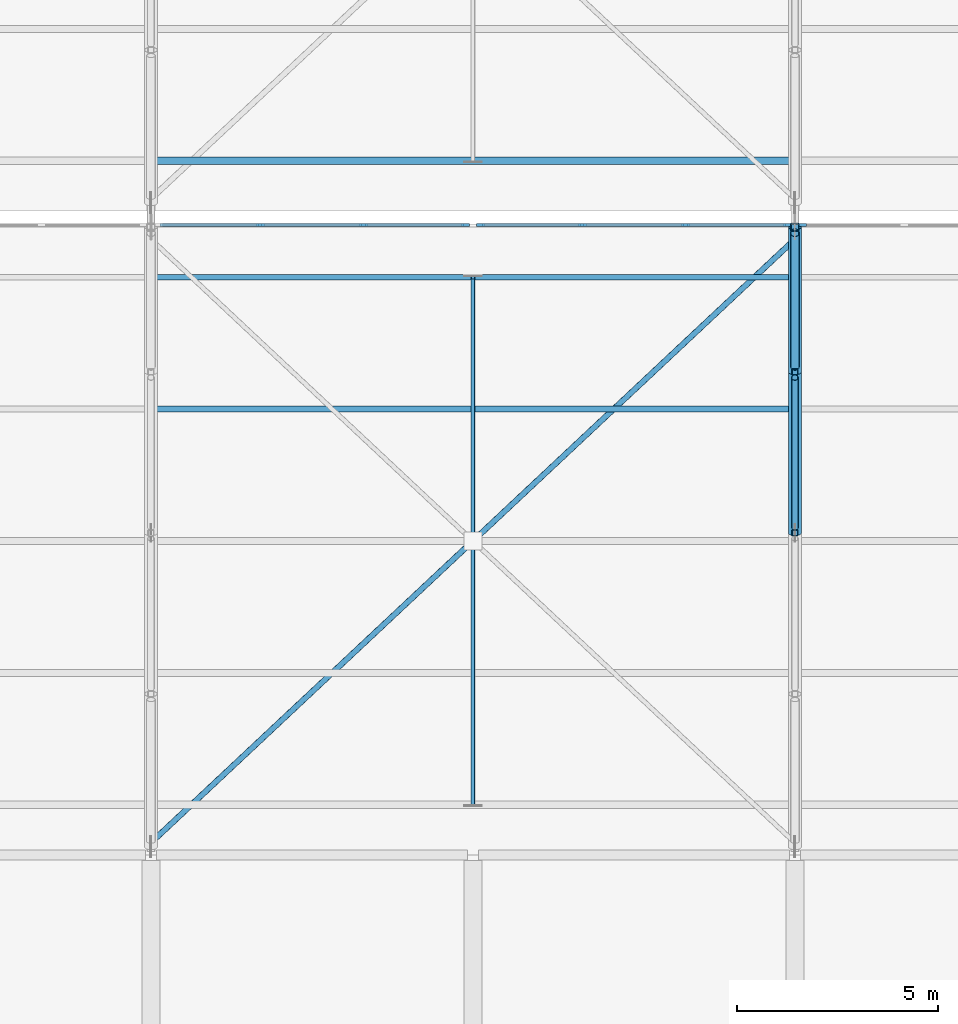
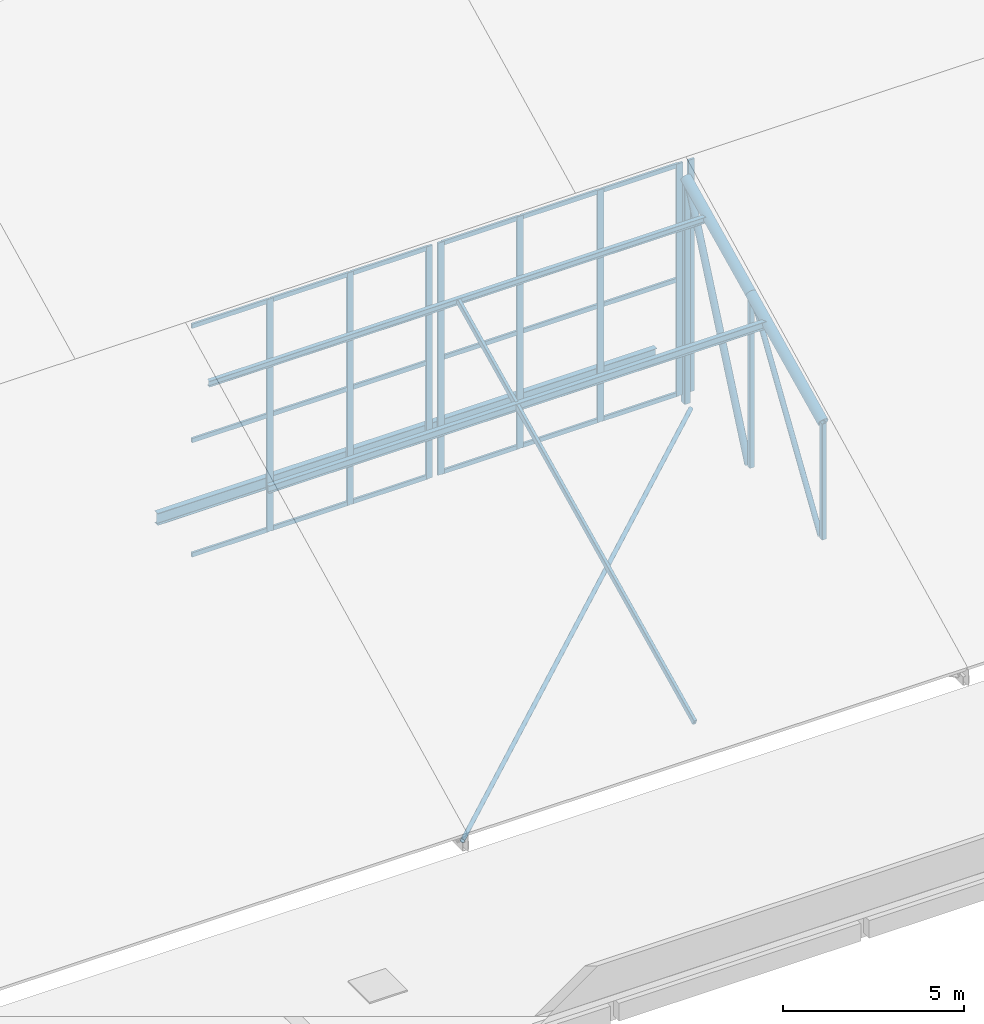
# One storey, part 48 of 137: 35 members, 3 beams, 3 elements without a shape of their own.
"""IFC4 building model written with IfcOpenShell, lengths in metres."""

import ifcopenshell
import ifcopenshell.guid

model = None  # the IFC model being written
_history = None  # IfcOwnerHistory: only IFC2X3 demands one
_inside = {}  # id of a spatial element -> (the spatial element, [elements in it])
_under = {}  # id of a project, library or spatial element -> (it, [spatial elements below it])
_declared = {}  # id of a project -> (the project, [libraries it declares])
_typed = {}  # id of a type object -> (the type object, [elements of that type])
_made_of = {}  # id of a material, layer set ... -> (it, [elements and type objects made of it])


def new_model(schema):
    """Start an empty IFC model of exactly this schema.

    Asked for "IFC4X3", IfcOpenShell would pick the latest addendum, in which some entities
    have other attributes; the version numbers below select the first issue.
    IFC2X3 requires an IfcOwnerHistory on every rooted entity: one is made here for all.
    """
    global model, _history
    if schema == "IFC4X3":
        model = ifcopenshell.file(schema_version=(4, 3, 0, 0))
    else:
        model = ifcopenshell.file(schema=schema)
    _inside.clear()
    _under.clear()
    _declared.clear()
    _typed.clear()
    _made_of.clear()
    _history = None
    if model.schema == "IFC2X3":
        org = make("IfcOrganization", Name="unknown")
        user = make(
            "IfcPersonAndOrganization",
            ThePerson=make("IfcPerson", FamilyName="unknown"),
            TheOrganization=org,
        )
        app = make(
            "IfcApplication",
            ApplicationDeveloper=org,
            Version="unknown",
            ApplicationFullName="unknown",
            ApplicationIdentifier="unknown",
        )
        _history = make(
            "IfcOwnerHistory",
            OwningUser=user,
            OwningApplication=app,
            ChangeAction="ADDED",
            CreationDate=0,
        )
    return model


def make(cls, **values):
    """One entity of the class cls with the attributes given. An attribute that is None is left unset."""
    return model.create_entity(
        cls, **{name: value for name, value in values.items() if value is not None}
    )


def rooted(cls, **values):
    """An entity with a GlobalId (a new one), such as an element, a storey or a relation."""
    return make(cls, GlobalId=ifcopenshell.guid.new(), OwnerHistory=_history, **values)


def si_unit(unit_type, name, prefix=None):
    """IfcSIUnit, for example si_unit("LENGTHUNIT", "METRE", prefix="MILLI")."""
    return make("IfcSIUnit", UnitType=unit_type, Prefix=prefix, Name=name)


def assignment(units):
    """IfcUnitAssignment: the units of a project."""
    return None if units is None else make("IfcUnitAssignment", Units=units)


def point(xyz):
    """IfcCartesianPoint."""
    return None if xyz is None else make("IfcCartesianPoint", Coordinates=xyz)


def direction(xyz):
    """IfcDirection."""
    return None if xyz is None else make("IfcDirection", DirectionRatios=xyz)


def frame(location, z_axis=None, x_axis=None):
    """IfcAxis2Placement3D, a coordinate frame: its origin and axes. An axis left out is left unset."""
    return make(
        "IfcAxis2Placement3D",
        Location=point(location),
        Axis=direction(z_axis),
        RefDirection=direction(x_axis),
    )


def frame_2d(location, x_axis=None):
    """IfcAxis2Placement2D, a coordinate frame in the plane: its origin and x axis."""
    return make(
        "IfcAxis2Placement2D", Location=point(location), RefDirection=direction(x_axis)
    )


def origin():
    """The frame at (0, 0, 0) with its axes left unset."""
    return frame((0.0, 0.0, 0.0))


def origin_2d():
    """The frame at (0, 0) in the plane with its x axis left unset."""
    return frame_2d((0.0, 0.0))


def place(relative_to, where):
    """IfcLocalPlacement: puts the frame where relative to a parent placement (None: the world)."""
    return make(
        "IfcLocalPlacement", PlacementRelTo=relative_to, RelativePlacement=where
    )


def context(
    kind, dimensions, precision=None, world=None, true_north=None, identifier=None
):
    """IfcGeometricRepresentationContext, for example the 3D "Model" context."""
    return make(
        "IfcGeometricRepresentationContext",
        ContextIdentifier=identifier,
        ContextType=kind,
        CoordinateSpaceDimension=dimensions,
        Precision=precision,
        WorldCoordinateSystem=world,
        TrueNorth=true_north,
    )


def subcontext(parent, identifier, kind, view, scale=None):
    """IfcGeometricRepresentationSubContext, for example "Body" below "Model"."""
    return make(
        "IfcGeometricRepresentationSubContext",
        ContextIdentifier=identifier,
        ContextType=kind,
        ParentContext=parent,
        TargetScale=scale,
        TargetView=view,
    )


def project(units=None, contexts=None):
    """IfcProject with its units and contexts."""
    return rooted(
        "IfcProject",
        Name="project",
        RepresentationContexts=contexts,
        UnitsInContext=assignment(units),
    )


def spatial(cls, under=None, at=None, **own):
    """A site, building, storey or space (cls), placed at a placement, below another one or the project."""
    s = rooted(cls, ObjectPlacement=at, **own)
    if under is not None:
        _under.setdefault(under.id(), (under, []))[1].append(s)
    return s


def profile(cls, at=None, kind="AREA", **sizes):
    """A parametric profile (cls). Its sizes go by their IFC names, for example OverallWidth=200.0."""
    return make(cls, ProfileType=kind, Position=at, **sizes)


def rectangle(**sizes):
    """IfcRectangleProfileDef."""
    return profile("IfcRectangleProfileDef", **sizes)


def hollow_rectangle(**sizes):
    """IfcRectangleHollowProfileDef."""
    return profile("IfcRectangleHollowProfileDef", **sizes)


def hollow_circle(**sizes):
    """IfcCircleHollowProfileDef."""
    return profile("IfcCircleHollowProfileDef", **sizes)


def i_section(**sizes):
    """IfcIShapeProfileDef."""
    return profile("IfcIShapeProfileDef", **sizes)


def extrude(swept, where, along, depth):
    """IfcExtrudedAreaSolid: the profile swept, set in the frame where, extruded along a direction by depth."""
    return make(
        "IfcExtrudedAreaSolid",
        SweptArea=swept,
        Position=where,
        ExtrudedDirection=direction(along),
        Depth=depth,
    )


def shape(context_of_items, identifier, shape_type, items):
    """IfcShapeRepresentation: the items that make up one representation, for example the "Body"."""
    return make(
        "IfcShapeRepresentation",
        ContextOfItems=context_of_items,
        RepresentationIdentifier=identifier,
        RepresentationType=shape_type,
        Items=items,
    )


def material(Name=None, Category=None):
    """IfcMaterial."""
    return make("IfcMaterial", Name=Name, Category=Category)


def layer(
    of_material, thickness, ventilated=None, Name=None, Category=None, Priority=None
):
    """IfcMaterialLayer: one layer of a wall or slab, of a material (None: an air gap)."""
    return make(
        "IfcMaterialLayer",
        Material=of_material,
        LayerThickness=thickness,
        IsVentilated=ventilated,
        Name=Name,
        Category=Category,
        Priority=Priority,
    )


def layer_set(layers, Name=None):
    """IfcMaterialLayerSet."""
    return make("IfcMaterialLayerSet", MaterialLayers=layers, LayerSetName=Name)


def material_profile(
    of_material, cross_section, Name=None, Category=None, Priority=None
):
    """IfcMaterialProfile: a cross section and its material."""
    return make(
        "IfcMaterialProfile",
        Name=Name,
        Material=of_material,
        Profile=cross_section,
        Priority=Priority,
        Category=Category,
    )


def profile_set(profiles, Name=None, composite=None):
    """IfcMaterialProfileSet."""
    return make(
        "IfcMaterialProfileSet",
        Name=Name,
        MaterialProfiles=profiles,
        CompositeProfile=composite,
    )


def made_of(thing, what):
    """Note that an element or type object is made of a material, layer set ...; save() writes the relation."""
    if what is not None:
        _made_of.setdefault(what.id(), (what, []))[1].append(thing)
    return thing


def type_object(cls, material=None, **own):
    """A type object (cls), such as IfcWallType, which elements share."""
    return made_of(rooted(cls, **own), material)


def element(
    cls,
    number,
    at=None,
    inside=None,
    cuts=None,
    type_object=None,
    material=None,
    context=None,
    identifier="Body",
    shape_type=None,
    held_by="IfcProductDefinitionShape",
    body=None,
    shapes=None,
    **own,
):
    """One element of the class cls, such as IfcWall. Its Tag is "e" and its number.

    at: its placement. inside: the storey or other place that contains it. cuts: it is an
    opening in that element (IfcRelVoidsElement). A single representation is given by context,
    identifier, shape_type and body (its items); several are given by shapes. held_by: the class
    of the entity that holds the representations. save() writes the other relations.
    """
    e = rooted(cls, Tag="e%d" % number, ObjectPlacement=at, **own)
    if body is not None:
        shapes = [shape(context, identifier, shape_type, body)]
    if shapes is not None:
        e.Representation = make(held_by, Representations=shapes)
    if inside is not None:
        _inside.setdefault(inside.id(), (inside, []))[1].append(e)
    if cuts is not None:
        rooted(
            "IfcRelVoidsElement", RelatingBuildingElement=cuts, RelatedOpeningElement=e
        )
    if type_object is not None:
        _typed.setdefault(type_object.id(), (type_object, []))[1].append(e)
    return made_of(e, material)


def aggregate(whole, parts):
    """IfcRelAggregates: a whole, such as a stair, and the parts it consists of."""
    return rooted("IfcRelAggregates", RelatingObject=whole, RelatedObjects=parts)


def save(model, path):
    """Write the relations noted so far, then the file.

    IfcRelAggregates (storeys below a building ...), IfcRelContainedInSpatialStructure (elements
    in a storey), IfcRelDefinesByType, IfcRelAssociatesMaterial and IfcRelDeclares: one each for
    every whole, place, type object, material and project.
    """
    for whole, parts in _under.values():
        aggregate(whole, parts)
    for where, things in _inside.values():
        rooted(
            "IfcRelContainedInSpatialStructure",
            RelatedElements=things,
            RelatingStructure=where,
        )
    for kind, things in _typed.values():
        rooted("IfcRelDefinesByType", RelatedObjects=things, RelatingType=kind)
    for what, things in _made_of.values():
        rooted("IfcRelAssociatesMaterial", RelatedObjects=things, RelatingMaterial=what)
    for by, libraries in _declared.values():
        rooted("IfcRelDeclares", RelatingContext=by, RelatedDefinitions=libraries)
    model.write(path)


model = new_model("IFC4")

# Units and contexts
model_context = context("Model", 3, precision=1e-05, world=origin(), true_north=direction((0.0, 1.0)))
body_context = subcontext(model_context, "Body", "Model", "MODEL_VIEW")
ifc_project = project(units=[si_unit("LENGTHUNIT", "METRE"), si_unit("AREAUNIT", "SQUARE_METRE"), si_unit("VOLUMEUNIT", "CUBIC_METRE"), si_unit("PLANEANGLEUNIT", "RADIAN"), si_unit("MASSUNIT", "GRAM", prefix="KILO")], contexts=[model_context])

# Site, building, storey
site_placement = place(None, origin())
site = spatial("IfcSite", under=ifc_project, at=site_placement, CompositionType="ELEMENT")
building_placement = place(site_placement, origin())
building = spatial("IfcBuilding", under=site, at=building_placement, Name="Jelvoka-Kovrelna Polytechnic", CompositionType="ELEMENT")
storey_placement = place(building_placement, frame((0.0, 0.0, 9.60009765625)))
storey = spatial("IfcBuildingStorey", under=building, at=storey_placement, Name="L03", CompositionType="ELEMENT", Elevation=9.60009765625)

# Members
ifc_material_1 = material(Name="Structural steel S355J2H", Category="steel")
ifc_material_profile_1 = material_profile(ifc_material_1, hollow_circle(Radius=0.06982421875, WallThickness=0.00634765625, at=origin_2d()), Name="139.7x6.3 CHS")
ifc_profile_set_1 = profile_set([ifc_material_profile_1], Name="Structural steel S355J2H")
member_type_1 = type_object("IfcMemberType", Name="Member_Brace_CHS140", PredefinedType="BRACE", material=ifc_profile_set_1)
member_1_placement = place(storey_placement, frame((120.050048828125, 88.35009765625, 0.14990234375), z_axis=(0.72968044266, 0.683788309055, 0.0), x_axis=(-0.683788309055, 0.72968044266, 0.0)))
element("IfcMember", 1, at=member_1_placement, inside=storey, type_object=member_type_1, Name="Sawtooth roof continuous X-brace 0210", PredefinedType="BRACE", context=body_context, shape_type="SweptSolid", body=[
    extrude(hollow_circle(Radius=0.06982421875, WallThickness=0.00634765625, at=origin_2d()), origin(), (0.0, 0.0, 1.0), 21.790283203125),
])
ifc_material_2 = material(Name="Structural steel S355J2H", Category="steel")
ifc_material_profile_2 = material_profile(ifc_material_2, hollow_circle(Radius=0.084228515625, WallThickness=0.008056640625, at=origin_2d()), Name="168.3x8.0 CHS")
ifc_profile_set_2 = profile_set([ifc_material_profile_2], Name="Structural steel S355J2H")
member_type_2 = type_object("IfcMemberType", Name="Member_Brace_CHS168", PredefinedType="BRACE", material=ifc_profile_set_2)
member_2_placement = place(storey_placement, frame((136.0, 96.139892578125, 0.14990234375), z_axis=(0.0, 0.5415746521, 0.840652660855), x_axis=(-1.0, 0.0, 0.0)))
element("IfcMember", 2, at=member_2_placement, inside=storey, type_object=member_type_2, Name="Sawtooth truss 4 diagonal web 1.3", PredefinedType="BRACE", context=body_context, shape_type="SweptSolid", body=[
    extrude(hollow_circle(Radius=0.084228515625, WallThickness=0.008056640625, at=origin_2d()), origin(), (0.0, 0.0, 1.0), 6.869140625),
])
ifc_material_3 = material(Name="Structural steel S355J2H", Category="steel")
ifc_material_profile_3 = material_profile(ifc_material_3, hollow_circle(Radius=0.109619140625, WallThickness=0.008056640625, at=origin_2d()), Name="219.1x8.0 CHS")
ifc_profile_set_3 = profile_set([ifc_material_profile_3], Name="Structural steel S355J2H")
member_type_3 = type_object("IfcMemberType", Name="Member_Brace_CHS219", PredefinedType="BRACE", material=ifc_profile_set_3)
member_3_placement = place(storey_placement, frame((136.0, 100.139892578125, 0.14990234375), z_axis=(0.0, 0.404336237521, 0.914610412705), x_axis=(-1.0, 0.0, 0.0)))
element("IfcMember", 3, at=member_3_placement, inside=storey, type_object=member_type_3, Name="Sawtooth truss 4 diagonal web 1.4", PredefinedType="BRACE", context=body_context, shape_type="SweptSolid", body=[
    extrude(hollow_circle(Radius=0.109619140625, WallThickness=0.008056640625, at=origin_2d()), origin(), (0.0, 0.0, 1.0), 8.211181640625),
])
ifc_material_4 = material(Name="Structural steel S355J2H", Category="steel")
ifc_material_profile_4 = material_profile(ifc_material_4, hollow_circle(Radius=0.161865234375, WallThickness=0.010009765625, at=origin_2d()), Name="323.9x10.0 CHS")
ifc_profile_set_4 = profile_set([ifc_material_profile_4], Name="Structural steel S355J2H")
member_type_4 = type_object("IfcMemberType", Name="Member_Chord_CHS324", PredefinedType="CHORD", material=ifc_profile_set_4)
member_4_placement = place(storey_placement, frame((136.0, 96.0, 4.076416015625), z_axis=(0.0, 0.900820911068, 0.434190840741), x_axis=(-1.0, 0.0, 0.0)))
element("IfcMember", 4, at=member_4_placement, inside=storey, type_object=member_type_4, Name="Sawtooth truss 4 top chord 1.3", PredefinedType="CHORD", context=body_context, shape_type="SweptSolid", body=[
    extrude(hollow_circle(Radius=0.161865234375, WallThickness=0.010009765625, at=origin_2d()), origin(), (0.0, 0.0, 1.0), 4.4404296875),
])
member_5_placement = place(storey_placement, frame((136.0, 100.0, 6.00439453125), z_axis=(0.0, 0.900784896778, 0.434265552095), x_axis=(-1.0, 0.0, 0.0)))
element("IfcMember", 5, at=member_5_placement, inside=storey, type_object=member_type_4, Name="Sawtooth truss 4 top chord 1.4", PredefinedType="CHORD", context=body_context, shape_type="SweptSolid", body=[
    extrude(hollow_circle(Radius=0.161865234375, WallThickness=0.010009765625, at=origin_2d()), origin(), (0.0, 0.0, 1.0), 3.99658203125),
])
ifc_material_5 = material(Name="Structural steel S355J2H", Category="steel")
ifc_material_profile_5 = material_profile(ifc_material_5, hollow_rectangle(XDim=0.14990234375, YDim=0.14990234375, WallThickness=0.008056640625, InnerFilletRadius=0.008056640625, OuterFilletRadius=0.011962890625, at=origin_2d()), Name="150x150x8.0 SHS")
ifc_profile_set_5 = profile_set([ifc_material_profile_5], Name="Structural steel S355J2H")
member_type_5 = type_object("IfcMemberType", Name="Member_Post_SHS150", PredefinedType="POST", material=ifc_profile_set_5)
member_6_placement = place(storey_placement, frame((136.0, 96.0, 0.14990234375), z_axis=(0.0, 0.0, 1.0), x_axis=(1.0, 0.0, 0.0)))
element("IfcMember", 6, at=member_6_placement, inside=storey, type_object=member_type_5, Name="Sawtooth truss 4 web post 1.3", PredefinedType="POST", context=body_context, shape_type="SweptSolid", body=[
    extrude(hollow_rectangle(XDim=0.14990234375, YDim=0.14990234375, WallThickness=0.008056640625, InnerFilletRadius=0.008056640625, OuterFilletRadius=0.011962890625, at=origin_2d()), origin(), (0.0, 0.0, 1.0), 3.926513671875),
])
member_7_placement = place(storey_placement, frame((136.0, 100.0, 0.14990234375), z_axis=(0.0, 0.0, 1.0), x_axis=(1.0, 0.0, 0.0)))
element("IfcMember", 7, at=member_7_placement, inside=storey, type_object=member_type_5, Name="Sawtooth truss 4 web post 1.4", PredefinedType="POST", context=body_context, shape_type="SweptSolid", body=[
    extrude(hollow_rectangle(XDim=0.14990234375, YDim=0.14990234375, WallThickness=0.008056640625, InnerFilletRadius=0.008056640625, OuterFilletRadius=0.011962890625, at=origin_2d()), origin(), (0.0, 0.0, 1.0), 5.8544921875),
])
ifc_material_6 = material(Name="Structural steel S355J2H", Category="steel")
ifc_material_profile_6 = material_profile(ifc_material_6, hollow_rectangle(XDim=0.199951171875, YDim=0.199951171875, WallThickness=0.010009765625, InnerFilletRadius=0.010009765625, OuterFilletRadius=0.014892578125, at=origin_2d()), Name="200x200x10.0 SHS")
ifc_profile_set_6 = profile_set([ifc_material_profile_6], Name="Structural steel S355J2H")
member_type_6 = type_object("IfcMemberType", Name="Member_Post_SHS200", PredefinedType="POST", material=ifc_profile_set_6)
member_8_placement = place(storey_placement, frame((136.0, 103.60009765625, 0.14990234375), z_axis=(0.0, 0.0, 1.0), x_axis=(1.0, 0.0, 0.0)))
element("IfcMember", 8, at=member_8_placement, inside=storey, type_object=member_type_6, Name="Sawtooth truss 4 web post 1.5", PredefinedType="POST", context=body_context, shape_type="SweptSolid", body=[
    extrude(hollow_rectangle(XDim=0.199951171875, YDim=0.199951171875, WallThickness=0.010009765625, InnerFilletRadius=0.010009765625, OuterFilletRadius=0.014892578125, at=origin_2d()), origin(), (0.0, 0.0, 1.0), 7.590087890625),
])
ifc_material_7 = material(Name="Structural steel S355J2H", Category="steel")
ifc_material_profile_7 = material_profile(ifc_material_7, hollow_rectangle(XDim=0.10009765625, YDim=0.199951171875, WallThickness=0.008056640625, InnerFilletRadius=0.008056640625, OuterFilletRadius=0.011962890625, at=origin_2d()), Name="200x100x8.0 RHS")
ifc_profile_set_7 = profile_set([ifc_material_profile_7], Name="Structural steel S355J2H")
member_type_7 = type_object("IfcMemberType", Name="Member_Rafter_RHS200", PredefinedType="RAFTER", material=ifc_profile_set_7)
member_9_placement = place(storey_placement, frame((128.0, 89.248046875, 0.821533203125), z_axis=(0.0, 0.900805023058, 0.434223802243), x_axis=(-1.0, 0.0, 0.0)))
element("IfcMember", 9, at=member_9_placement, inside=storey, type_object=member_type_7, Name="Sawtooth mid-bay secondary rafter 3.1", PredefinedType="RAFTER", context=body_context, shape_type="SweptSolid", body=[
    extrude(hollow_rectangle(XDim=0.10009765625, YDim=0.199951171875, WallThickness=0.008056640625, InnerFilletRadius=0.008056640625, OuterFilletRadius=0.011962890625, at=origin_2d()), origin(), (0.0, 0.0, 1.0), 14.546875),
])

# Curtain wall, members
ifc_material_8 = material(Name="Anodised aluminium 6063-T6", Category="aluminium")
ifc_layer = layer(ifc_material_8, 0.199951171875)
ifc_layer_set = layer_set([ifc_layer], Name="Anodised aluminium 6063-T6")
curtain_wall_type = type_object("IfcCurtainWallType", Name="CW_Clerestory", PredefinedType="NOTDEFINED", material=ifc_layer_set)
curtain_wall_1_placement = place(storey_placement, origin())
curtain_wall_1 = element("IfcCurtainWall", 10, at=curtain_wall_1_placement, inside=storey, type_object=curtain_wall_type, Name="L03 glazed curtain wall 191", PredefinedType="NOTDEFINED")
ifc_material_9 = material(Name="Anodised aluminium 6063-T6", Category="aluminium")
ifc_material_profile_8 = material_profile(ifc_material_9, rectangle(XDim=0.070068359375, YDim=0.199951171875, at=origin_2d()), Name="ALU 70x200")
ifc_profile_set_8 = profile_set([ifc_material_profile_8], Name="Anodised aluminium 6063-T6")
member_type_8 = type_object("IfcMemberType", Name="Mullion_M-03", PredefinedType="MULLION", material=ifc_profile_set_8)
member_10_placement = place(storey_placement, frame((122.716552734375, 103.64990234375, 0.425048828125), z_axis=(0.0, 0.0, 1.0), x_axis=(0.0, 1.0, 0.0)))
member_10 = element("IfcMember", 11, at=member_10_placement, type_object=member_type_8, Name="CW-03 mullion 2", PredefinedType="MULLION", context=body_context, shape_type="SweptSolid", body=[
    extrude(rectangle(XDim=0.070068359375, YDim=0.199951171875, at=origin_2d()), origin(), (0.0, 0.0, 1.0), 7.85009765625),
])
member_11_placement = place(storey_placement, frame((125.283447265625, 103.64990234375, 0.425048828125), z_axis=(0.0, 0.0, 1.0), x_axis=(0.0, 1.0, 0.0)))
member_11 = element("IfcMember", 12, at=member_11_placement, type_object=member_type_8, Name="CW-03 mullion 3", PredefinedType="MULLION", context=body_context, shape_type="SweptSolid", body=[
    extrude(rectangle(XDim=0.070068359375, YDim=0.199951171875, at=origin_2d()), origin(), (0.0, 0.0, 1.0), 7.85009765625),
])
member_12_placement = place(storey_placement, frame((127.81494140625, 103.64990234375, 0.425048828125), z_axis=(0.0, 0.0, 1.0), x_axis=(0.0, 1.0, 0.0)))
member_12 = element("IfcMember", 13, at=member_12_placement, type_object=member_type_8, Name="CW-03 mullion 4", PredefinedType="MULLION", context=body_context, shape_type="SweptSolid", body=[
    extrude(rectangle(XDim=0.070068359375, YDim=0.199951171875, at=origin_2d()), origin(), (0.0, 0.0, 1.0), 7.85009765625),
])

curtain_wall_2_placement = place(storey_placement, origin())
curtain_wall_2 = element("IfcCurtainWall", 14, at=curtain_wall_2_placement, inside=storey, type_object=curtain_wall_type, Name="L03 glazed curtain wall 193", PredefinedType="NOTDEFINED")
member_13_placement = place(storey_placement, frame((128.18505859375, 103.64990234375, 0.425048828125), z_axis=(0.0, 0.0, 1.0), x_axis=(0.0, 1.0, 0.0)))
member_13 = element("IfcMember", 15, at=member_13_placement, type_object=member_type_8, Name="CW-03 mullion 1", PredefinedType="MULLION", context=body_context, shape_type="SweptSolid", body=[
    extrude(rectangle(XDim=0.070068359375, YDim=0.199951171875, at=origin_2d()), origin(), (0.0, 0.0, 1.0), 7.85009765625),
])
member_14_placement = place(storey_placement, frame((130.716552734375, 103.64990234375, 0.425048828125), z_axis=(0.0, 0.0, 1.0), x_axis=(0.0, 1.0, 0.0)))
member_14 = element("IfcMember", 16, at=member_14_placement, type_object=member_type_8, Name="CW-03 mullion 2", PredefinedType="MULLION", context=body_context, shape_type="SweptSolid", body=[
    extrude(rectangle(XDim=0.070068359375, YDim=0.199951171875, at=origin_2d()), origin(), (0.0, 0.0, 1.0), 7.85009765625),
])
member_15_placement = place(storey_placement, frame((133.283447265625, 103.64990234375, 0.425048828125), z_axis=(0.0, 0.0, 1.0), x_axis=(0.0, 1.0, 0.0)))
member_15 = element("IfcMember", 17, at=member_15_placement, type_object=member_type_8, Name="CW-03 mullion 3", PredefinedType="MULLION", context=body_context, shape_type="SweptSolid", body=[
    extrude(rectangle(XDim=0.070068359375, YDim=0.199951171875, at=origin_2d()), origin(), (0.0, 0.0, 1.0), 7.85009765625),
])
member_16_placement = place(storey_placement, frame((135.81494140625, 103.64990234375, 0.425048828125), z_axis=(0.0, 0.0, 1.0), x_axis=(0.0, 1.0, 0.0)))
member_16 = element("IfcMember", 18, at=member_16_placement, type_object=member_type_8, Name="CW-03 mullion 4", PredefinedType="MULLION", context=body_context, shape_type="SweptSolid", body=[
    extrude(rectangle(XDim=0.070068359375, YDim=0.199951171875, at=origin_2d()), origin(), (0.0, 0.0, 1.0), 7.85009765625),
])

# Curtain wall, member
curtain_wall_3_placement = place(storey_placement, origin())
curtain_wall_3 = element("IfcCurtainWall", 19, at=curtain_wall_3_placement, inside=storey, type_object=curtain_wall_type, Name="L03 glazed curtain wall 195", PredefinedType="NOTDEFINED")
member_17_placement = place(storey_placement, frame((136.18505859375, 103.64990234375, 0.425048828125), z_axis=(0.0, 0.0, 1.0), x_axis=(0.0, 1.0, 0.0)))
member_17 = element("IfcMember", 20, at=member_17_placement, type_object=member_type_8, Name="CW-03 mullion 1", PredefinedType="MULLION", context=body_context, shape_type="SweptSolid", body=[
    extrude(rectangle(XDim=0.070068359375, YDim=0.199951171875, at=origin_2d()), origin(), (0.0, 0.0, 1.0), 7.85009765625),
])
aggregate(curtain_wall_3, [member_17])

# Beams
ifc_material_10 = material(Name="Structural steel S355JR", Category="steel")
ifc_material_profile_9 = material_profile(ifc_material_10, i_section(OverallWidth=0.13330078125, OverallDepth=0.203125, WebThickness=0.005615234375, FlangeThickness=0.0078125, FilletRadius=0.007568359375, at=origin_2d()), Name="203x133x25 UB")
ifc_profile_set_9 = profile_set([ifc_material_profile_9], Name="Structural steel S355JR")
beam_type_1 = type_object("IfcBeamType", Name="Purlin_Steel_UB203", PredefinedType="JOIST", material=ifc_profile_set_9)
beam_1_placement = place(storey_placement, frame((120.02001953125, 102.35205078125, 7.13818359375), z_axis=(1.0, 0.0, 0.0), x_axis=(0.0, 1.0, 0.0)))
element("IfcBeam", 21, at=beam_1_placement, inside=storey, type_object=beam_type_1, Name="Sawtooth roof purlin 025", PredefinedType="JOIST", context=body_context, shape_type="SweptSolid", body=[
    extrude(i_section(OverallWidth=0.13330078125, OverallDepth=0.203125, WebThickness=0.005615234375, FlangeThickness=0.0078125, FilletRadius=0.007568359375, at=origin_2d()), origin(), (0.0, 0.0, 1.0), 15.9599609375),
])
ifc_material_11 = material(Name="Structural steel S355JR", Category="steel")
ifc_material_profile_10 = material_profile(ifc_material_11, i_section(OverallWidth=0.14599609375, OverallDepth=0.25146484375, WebThickness=0.006103515625, FlangeThickness=0.008544921875, FilletRadius=0.007568359375, at=origin_2d()), Name="254x146x31 UB")
ifc_profile_set_10 = profile_set([ifc_material_profile_10], Name="Structural steel S355JR")
beam_type_2 = type_object("IfcBeamType", Name="Purlin_Steel_UB254", PredefinedType="JOIST", material=ifc_profile_set_10)
beam_2_placement = place(storey_placement, frame((120.02001953125, 99.075927734375, 5.55908203125), z_axis=(1.0, 0.0, 0.0), x_axis=(0.0, 1.0, 0.0)))
element("IfcBeam", 22, at=beam_2_placement, inside=storey, type_object=beam_type_2, Name="Sawtooth roof purlin 024", PredefinedType="JOIST", context=body_context, shape_type="SweptSolid", body=[
    extrude(i_section(OverallWidth=0.14599609375, OverallDepth=0.25146484375, WebThickness=0.006103515625, FlangeThickness=0.008544921875, FilletRadius=0.007568359375, at=origin_2d()), origin(), (0.0, 0.0, 1.0), 15.9599609375),
])
ifc_material_12 = material(Name="Structural steel S355JR", Category="steel")
ifc_material_profile_11 = material_profile(ifc_material_12, i_section(OverallWidth=0.177978515625, OverallDepth=0.406494140625, WebThickness=0.0078125, FlangeThickness=0.0126953125, FilletRadius=0.01025390625, at=origin_2d()), Name="406x178x60 UB")
ifc_profile_set_11 = profile_set([ifc_material_profile_11], Name="Structural steel S355JR")
beam_type_3 = type_object("IfcBeamType", Name="Purlin_Steel_UB406", PredefinedType="JOIST", material=ifc_profile_set_11)
beam_3_placement = place(storey_placement, frame((120.02001953125, 105.248046875, 0.821533203125), z_axis=(1.0, 0.0, 0.0), x_axis=(0.0, 1.0, 0.0)))
element("IfcBeam", 23, at=beam_3_placement, inside=storey, type_object=beam_type_3, Name="Sawtooth roof purlin 026", PredefinedType="JOIST", context=body_context, shape_type="SweptSolid", body=[
    extrude(i_section(OverallWidth=0.177978515625, OverallDepth=0.406494140625, WebThickness=0.0078125, FlangeThickness=0.0126953125, FilletRadius=0.01025390625, at=origin_2d()), origin(), (0.0, 0.0, 1.0), 15.9599609375),
])

# Member
ifc_material_13 = material(Name="Anodised aluminium 6063-T6", Category="aluminium")
ifc_material_profile_12 = material_profile(ifc_material_13, rectangle(XDim=0.070068359375, YDim=0.14501953125, at=origin_2d()), Name="ALU 70x145")
ifc_profile_set_12 = profile_set([ifc_material_profile_12], Name="Anodised aluminium 6063-T6")
member_type_9 = type_object("IfcMemberType", Name="Transom_T-03", PredefinedType="USERDEFINED", material=ifc_profile_set_12)
member_18_placement = place(storey_placement, frame((120.219970703125, 103.64990234375, 0.48486328125), z_axis=(1.0, 0.0, 0.0), x_axis=(0.0, 1.0, 0.0)))
member_18 = element("IfcMember", 24, at=member_18_placement, type_object=member_type_9, Name="CW-03 transom 1.1", ObjectType="TRANSOM", PredefinedType="USERDEFINED", context=body_context, shape_type="SweptSolid", body=[
    extrude(rectangle(XDim=0.070068359375, YDim=0.14501953125, at=origin_2d()), origin(), (0.0, 0.0, 1.0), 2.461669921875),
])

member_19_placement = place(storey_placement, frame((120.219970703125, 103.64990234375, 4.349853515625), z_axis=(1.0, 0.0, 0.0), x_axis=(0.0, 1.0, 0.0)))
member_19 = element("IfcMember", 25, at=member_19_placement, type_object=member_type_9, Name="CW-03 transom 1.2", ObjectType="TRANSOM", PredefinedType="USERDEFINED", context=body_context, shape_type="SweptSolid", body=[
    extrude(rectangle(XDim=0.070068359375, YDim=0.14501953125, at=origin_2d()), origin(), (0.0, 0.0, 1.0), 2.461669921875),
])

member_20_placement = place(storey_placement, frame((120.219970703125, 103.64990234375, 8.21484375), z_axis=(1.0, 0.0, 0.0), x_axis=(0.0, 1.0, 0.0)))
member_20 = element("IfcMember", 26, at=member_20_placement, type_object=member_type_9, Name="CW-03 transom 1.3", ObjectType="TRANSOM", PredefinedType="USERDEFINED", context=body_context, shape_type="SweptSolid", body=[
    extrude(rectangle(XDim=0.070068359375, YDim=0.14501953125, at=origin_2d()), origin(), (0.0, 0.0, 1.0), 2.461669921875),
])

member_21_placement = place(storey_placement, frame((122.751708984375, 103.64990234375, 0.48486328125), z_axis=(1.0, 0.0, 0.0), x_axis=(0.0, 1.0, 0.0)))
member_21 = element("IfcMember", 27, at=member_21_placement, type_object=member_type_9, Name="CW-03 transom 2.1", ObjectType="TRANSOM", PredefinedType="USERDEFINED", context=body_context, shape_type="SweptSolid", body=[
    extrude(rectangle(XDim=0.070068359375, YDim=0.14501953125, at=origin_2d()), origin(), (0.0, 0.0, 1.0), 2.49658203125),
])

member_22_placement = place(storey_placement, frame((122.751708984375, 103.64990234375, 4.349853515625), z_axis=(1.0, 0.0, 0.0), x_axis=(0.0, 1.0, 0.0)))
member_22 = element("IfcMember", 28, at=member_22_placement, type_object=member_type_9, Name="CW-03 transom 2.2", ObjectType="TRANSOM", PredefinedType="USERDEFINED", context=body_context, shape_type="SweptSolid", body=[
    extrude(rectangle(XDim=0.070068359375, YDim=0.14501953125, at=origin_2d()), origin(), (0.0, 0.0, 1.0), 2.49658203125),
])

member_23_placement = place(storey_placement, frame((122.751708984375, 103.64990234375, 8.21484375), z_axis=(1.0, 0.0, 0.0), x_axis=(0.0, 1.0, 0.0)))
member_23 = element("IfcMember", 29, at=member_23_placement, type_object=member_type_9, Name="CW-03 transom 2.3", ObjectType="TRANSOM", PredefinedType="USERDEFINED", context=body_context, shape_type="SweptSolid", body=[
    extrude(rectangle(XDim=0.070068359375, YDim=0.14501953125, at=origin_2d()), origin(), (0.0, 0.0, 1.0), 2.49658203125),
])

member_24_placement = place(storey_placement, frame((125.318359375, 103.64990234375, 0.48486328125), z_axis=(1.0, 0.0, 0.0), x_axis=(0.0, 1.0, 0.0)))
member_24 = element("IfcMember", 30, at=member_24_placement, type_object=member_type_9, Name="CW-03 transom 3.1", ObjectType="TRANSOM", PredefinedType="USERDEFINED", context=body_context, shape_type="SweptSolid", body=[
    extrude(rectangle(XDim=0.070068359375, YDim=0.14501953125, at=origin_2d()), origin(), (0.0, 0.0, 1.0), 2.461669921875),
])

member_25_placement = place(storey_placement, frame((125.318359375, 103.64990234375, 4.349853515625), z_axis=(1.0, 0.0, 0.0), x_axis=(0.0, 1.0, 0.0)))
member_25 = element("IfcMember", 31, at=member_25_placement, type_object=member_type_9, Name="CW-03 transom 3.2", ObjectType="TRANSOM", PredefinedType="USERDEFINED", context=body_context, shape_type="SweptSolid", body=[
    extrude(rectangle(XDim=0.070068359375, YDim=0.14501953125, at=origin_2d()), origin(), (0.0, 0.0, 1.0), 2.461669921875),
])

member_26_placement = place(storey_placement, frame((125.318359375, 103.64990234375, 8.21484375), z_axis=(1.0, 0.0, 0.0), x_axis=(0.0, 1.0, 0.0)))
member_26 = element("IfcMember", 32, at=member_26_placement, type_object=member_type_9, Name="CW-03 transom 3.3", ObjectType="TRANSOM", PredefinedType="USERDEFINED", context=body_context, shape_type="SweptSolid", body=[
    extrude(rectangle(XDim=0.070068359375, YDim=0.14501953125, at=origin_2d()), origin(), (0.0, 0.0, 1.0), 2.461669921875),
])

aggregate(curtain_wall_1, [member_10, member_11, member_12, member_18, member_19, member_20, member_21, member_22, member_23, member_24, member_25, member_26])

member_27_placement = place(storey_placement, frame((128.219970703125, 103.64990234375, 0.48486328125), z_axis=(1.0, 0.0, 0.0), x_axis=(0.0, 1.0, 0.0)))
member_27 = element("IfcMember", 33, at=member_27_placement, type_object=member_type_9, Name="CW-03 transom 1.1", ObjectType="TRANSOM", PredefinedType="USERDEFINED", context=body_context, shape_type="SweptSolid", body=[
    extrude(rectangle(XDim=0.070068359375, YDim=0.14501953125, at=origin_2d()), origin(), (0.0, 0.0, 1.0), 2.461669921875),
])

member_28_placement = place(storey_placement, frame((128.219970703125, 103.64990234375, 4.349853515625), z_axis=(1.0, 0.0, 0.0), x_axis=(0.0, 1.0, 0.0)))
member_28 = element("IfcMember", 34, at=member_28_placement, type_object=member_type_9, Name="CW-03 transom 1.2", ObjectType="TRANSOM", PredefinedType="USERDEFINED", context=body_context, shape_type="SweptSolid", body=[
    extrude(rectangle(XDim=0.070068359375, YDim=0.14501953125, at=origin_2d()), origin(), (0.0, 0.0, 1.0), 2.461669921875),
])

member_29_placement = place(storey_placement, frame((128.219970703125, 103.64990234375, 8.21484375), z_axis=(1.0, 0.0, 0.0), x_axis=(0.0, 1.0, 0.0)))
member_29 = element("IfcMember", 35, at=member_29_placement, type_object=member_type_9, Name="CW-03 transom 1.3", ObjectType="TRANSOM", PredefinedType="USERDEFINED", context=body_context, shape_type="SweptSolid", body=[
    extrude(rectangle(XDim=0.070068359375, YDim=0.14501953125, at=origin_2d()), origin(), (0.0, 0.0, 1.0), 2.461669921875),
])

member_30_placement = place(storey_placement, frame((130.751708984375, 103.64990234375, 0.48486328125), z_axis=(1.0, 0.0, 0.0), x_axis=(0.0, 1.0, 0.0)))
member_30 = element("IfcMember", 36, at=member_30_placement, type_object=member_type_9, Name="CW-03 transom 2.1", ObjectType="TRANSOM", PredefinedType="USERDEFINED", context=body_context, shape_type="SweptSolid", body=[
    extrude(rectangle(XDim=0.070068359375, YDim=0.14501953125, at=origin_2d()), origin(), (0.0, 0.0, 1.0), 2.49658203125),
])

member_31_placement = place(storey_placement, frame((130.751708984375, 103.64990234375, 4.349853515625), z_axis=(1.0, 0.0, 0.0), x_axis=(0.0, 1.0, 0.0)))
member_31 = element("IfcMember", 37, at=member_31_placement, type_object=member_type_9, Name="CW-03 transom 2.2", ObjectType="TRANSOM", PredefinedType="USERDEFINED", context=body_context, shape_type="SweptSolid", body=[
    extrude(rectangle(XDim=0.070068359375, YDim=0.14501953125, at=origin_2d()), origin(), (0.0, 0.0, 1.0), 2.49658203125),
])

member_32_placement = place(storey_placement, frame((130.751708984375, 103.64990234375, 8.21484375), z_axis=(1.0, 0.0, 0.0), x_axis=(0.0, 1.0, 0.0)))
member_32 = element("IfcMember", 38, at=member_32_placement, type_object=member_type_9, Name="CW-03 transom 2.3", ObjectType="TRANSOM", PredefinedType="USERDEFINED", context=body_context, shape_type="SweptSolid", body=[
    extrude(rectangle(XDim=0.070068359375, YDim=0.14501953125, at=origin_2d()), origin(), (0.0, 0.0, 1.0), 2.49658203125),
])

member_33_placement = place(storey_placement, frame((133.318359375, 103.64990234375, 0.48486328125), z_axis=(1.0, 0.0, 0.0), x_axis=(0.0, 1.0, 0.0)))
member_33 = element("IfcMember", 39, at=member_33_placement, type_object=member_type_9, Name="CW-03 transom 3.1", ObjectType="TRANSOM", PredefinedType="USERDEFINED", context=body_context, shape_type="SweptSolid", body=[
    extrude(rectangle(XDim=0.070068359375, YDim=0.14501953125, at=origin_2d()), origin(), (0.0, 0.0, 1.0), 2.461669921875),
])

member_34_placement = place(storey_placement, frame((133.318359375, 103.64990234375, 4.349853515625), z_axis=(1.0, 0.0, 0.0), x_axis=(0.0, 1.0, 0.0)))
member_34 = element("IfcMember", 40, at=member_34_placement, type_object=member_type_9, Name="CW-03 transom 3.2", ObjectType="TRANSOM", PredefinedType="USERDEFINED", context=body_context, shape_type="SweptSolid", body=[
    extrude(rectangle(XDim=0.070068359375, YDim=0.14501953125, at=origin_2d()), origin(), (0.0, 0.0, 1.0), 2.461669921875),
])

member_35_placement = place(storey_placement, frame((133.318359375, 103.64990234375, 8.21484375), z_axis=(1.0, 0.0, 0.0), x_axis=(0.0, 1.0, 0.0)))
member_35 = element("IfcMember", 41, at=member_35_placement, type_object=member_type_9, Name="CW-03 transom 3.3", ObjectType="TRANSOM", PredefinedType="USERDEFINED", context=body_context, shape_type="SweptSolid", body=[
    extrude(rectangle(XDim=0.070068359375, YDim=0.14501953125, at=origin_2d()), origin(), (0.0, 0.0, 1.0), 2.461669921875),
])

aggregate(curtain_wall_2, [member_13, member_14, member_15, member_16, member_27, member_28, member_29, member_30, member_31, member_32, member_33, member_34, member_35])

save(model, "model.ifc")
